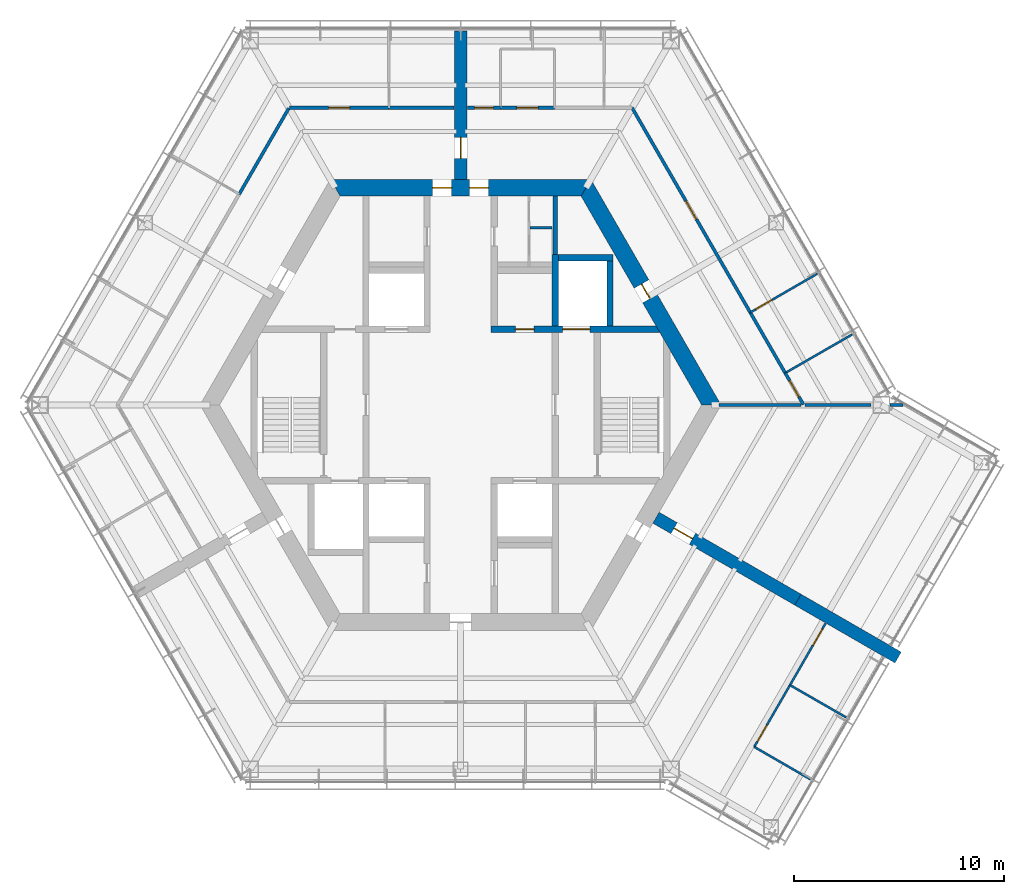
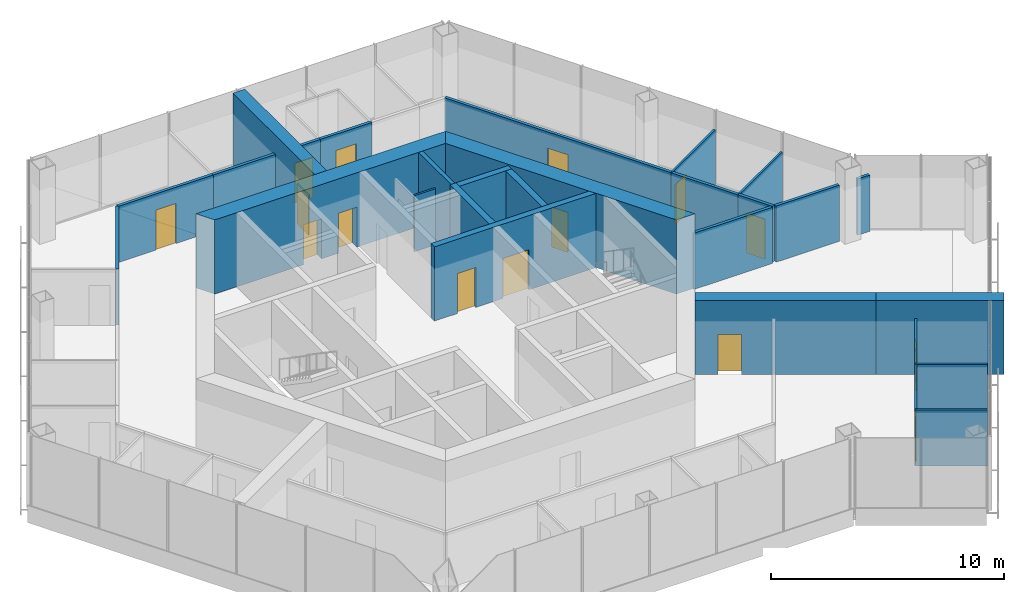
# One storey, part 9 of 13: 28 walls, 15 doors, 15 openings.
"""IFC4 building model written with IfcOpenShell, lengths in metres."""

from ifc_helpers import new_model, si_unit, direction, frame, frame_2d, origin, place, context, subcontext, project, spatial, polyline, rectangle, outline, extrude, material, layer, layer_set, type_object, element, fill, save


model = new_model("IFC4")

# Units and contexts
model_context = context("Model", 3, precision=1e-05, world=origin(), true_north=direction((0.0, 1.0)))
body_context = subcontext(model_context, "Body", "Model", "MODEL_VIEW")
ifc_project = project(units=[si_unit("LENGTHUNIT", "METRE"), si_unit("AREAUNIT", "SQUARE_METRE"), si_unit("VOLUMEUNIT", "CUBIC_METRE"), si_unit("PLANEANGLEUNIT", "RADIAN"), si_unit("MASSUNIT", "GRAM", prefix="KILO")], contexts=[model_context])

# Site, building, storey
site_placement = place(None, origin())
site = spatial("IfcSite", under=ifc_project, at=site_placement, CompositionType="ELEMENT")
building_placement = place(site_placement, origin())
building = spatial("IfcBuilding", under=site, at=building_placement, Name="Kasaneha Research Tower", CompositionType="ELEMENT")
storey_placement = place(building_placement, frame((0.0, 0.0, 286.89990234375)))
storey = spatial("IfcBuildingStorey", under=building, at=storey_placement, Name="L72", CompositionType="ELEMENT", Elevation=286.89990234375)

# Wall, openings, doors
ifc_material_1 = material(Name="Concrete Fc60", Category="concrete")
ifc_layer_1 = layer(ifc_material_1, 0.300048828125)
ifc_layer_set_1 = layer_set([ifc_layer_1], Name="Core internal wall 300 Fc60")
wall_type_1 = type_object("IfcWallType", Name="Core internal wall 300 Fc60", PredefinedType="SHEAR", material=ifc_layer_set_1)
wall_1_placement = place(storey_placement, frame((1.449951171875, 3.60009765625, 0.0), z_axis=(0.0, 0.0, 1.0), x_axis=(1.0, 0.0, 0.0)))
wall_1 = element("IfcWall", 1, at=wall_1_placement, inside=storey, type_object=wall_type_1, Name="Core wall W1E L72", PredefinedType="SHEAR", context=body_context, shape_type="SweptSolid", body=[
    extrude(outline(polyline([(0.0, -0.14990234375), (1.14990234375, -0.14990234375), (2.0498046875, -0.14990234375), (3.39990234375, -0.14990234375), (4.699951171875, -0.14990234375), (8.0185546875, -0.14990234375), (7.84521484375, 0.14990234375), (4.699951171875, 0.14990234375), (3.39990234375, 0.14990234375), (2.0498046875, 0.14990234375), (1.14990234375, 0.14990234375), (0.0, 0.14990234375), (0.0, -0.14990234375)])), origin(), (0.0, 0.0, 1.0), 3.900146484375),
])
opening_1_placement = place(wall_1_placement, frame((1.14990234375, 0.0, 0.0)))
opening_1 = element("IfcOpeningElement", 2, at=opening_1_placement, cuts=wall_1, Name="Opening L72-D17", PredefinedType="OPENING", context=body_context, shape_type="SweptSolid", body=[
    extrude(rectangle(XDim=0.89990234375, YDim=2.10009765625, at=frame_2d((0.449951171875, 1.050048828125))), frame((0.0, 0.16015625, 0.0), z_axis=(0.0, -1.0, 0.0), x_axis=(1.0, 0.0, 0.0)), (0.0, 0.0, 1.0), 0.320068359375),
])
opening_2_placement = place(wall_1_placement, frame((3.39990234375, 0.0, 0.0)))
opening_2 = element("IfcOpeningElement", 3, at=opening_2_placement, cuts=wall_1, Name="Opening LD-FL1-L72", PredefinedType="OPENING", context=body_context, shape_type="SweptSolid", body=[
    extrude(rectangle(XDim=1.300048828125, YDim=2.10009765625, at=frame_2d((0.64990234375, 1.050048828125))), frame((0.0, 0.16015625, 0.0), z_axis=(0.0, -1.0, 0.0), x_axis=(1.0, 0.0, 0.0)), (0.0, 0.0, 1.0), 0.320068359375),
])
ifc_material_2 = material(Name="Steel", Category="steel")
door_type_1 = type_object("IfcDoorType", Name="Lift landing door 1300x2100", OperationType="DOUBLE_DOOR_SLIDING", PredefinedType="DOOR", material=ifc_material_2)
door_1_placement = place(opening_2_placement, origin())
door_1 = element("IfcDoor", 4, at=door_1_placement, inside=storey, type_object=door_type_1, Name="Landing door FL1 LD-FL1-L72", OperationType="DOUBLE_DOOR_SLIDING", OverallHeight=2.10009765625, OverallWidth=1.300048828125, PredefinedType="DOOR", context=body_context, shape_type="SweptSolid", body=[
    extrude(rectangle(XDim=1.300048828125, YDim=2.10009765625, at=frame_2d((0.64990234375, 1.050048828125))), frame((0.0, 0.02490234375, 0.0), z_axis=(0.0, -1.0, 0.0), x_axis=(1.0, 0.0, 0.0)), (0.0, 0.0, 1.0), 0.050048828125),
])
fill(opening_2, door_1)
ifc_material_3 = material(Name="Steel", Category="steel")
door_type_2 = type_object("IfcDoorType", Name="Shaft room door FD60 900x2100", OperationType="NOTDEFINED", PredefinedType="DOOR", material=ifc_material_3)
door_2_placement = place(opening_1_placement, origin())
door_2 = element("IfcDoor", 5, at=door_2_placement, inside=storey, type_object=door_type_2, Name="Mail room door L72-D17", OperationType="SINGLE_SWING_LEFT", OverallHeight=2.10009765625, OverallWidth=0.89990234375, PredefinedType="DOOR", context=body_context, shape_type="SweptSolid", body=[
    extrude(rectangle(XDim=0.89990234375, YDim=2.10009765625, at=frame_2d((0.449951171875, 1.050048828125))), frame((0.0, 0.02490234375, 0.0), z_axis=(0.0, -1.0, 0.0), x_axis=(1.0, 0.0, 0.0)), (0.0, 0.0, 1.0), 0.050048828125),
])
fill(opening_1, door_2)

# Walls
wall_2_placement = place(storey_placement, frame((4.5, 3.75, 0.0), z_axis=(0.0, 0.0, 1.0), x_axis=(0.0, 1.0, 0.0)))
element("IfcWall", 6, at=wall_2_placement, inside=storey, type_object=wall_type_1, Name="Core wall FNE L72", PredefinedType="SHEAR", context=body_context, shape_type="SweptSolid", body=[
    extrude(rectangle(XDim=3.39990234375, YDim=0.300048828125, at=frame_2d((1.699951171875, 0.0))), origin(), (0.0, 0.0, 1.0), 3.900146484375),
])
wall_3_placement = place(storey_placement, frame((4.64990234375, 7.0, 0.0), z_axis=(0.0, 0.0, 1.0), x_axis=(1.0, 0.0, 0.0)))
element("IfcWall", 7, at=wall_3_placement, inside=storey, type_object=wall_type_1, Name="Core wall F1N L72", PredefinedType="SHEAR", context=body_context, shape_type="SweptSolid", body=[
    extrude(rectangle(XDim=2.60009765625, YDim=0.300048828125, at=frame_2d((1.300048828125, 0.0))), origin(), (0.0, 0.0, 1.0), 3.900146484375),
])
wall_4_placement = place(storey_placement, frame((7.10009765625, 3.75, 0.0), z_axis=(0.0, 0.0, 1.0), x_axis=(0.0, 1.0, 0.0)))
element("IfcWall", 8, at=wall_4_placement, inside=storey, type_object=wall_type_1, Name="Core wall F1E L72", PredefinedType="SHEAR", context=body_context, shape_type="SweptSolid", body=[
    extrude(rectangle(XDim=3.10009765625, YDim=0.300048828125, at=frame_2d((1.550048828125, 0.0))), origin(), (0.0, 0.0, 1.0), 3.900146484375),
])

# Wall, opening, door
ifc_material_4 = material(Name="Concrete Fc60", Category="concrete")
ifc_layer_2 = layer(ifc_material_4, 0.800048828125)
ifc_layer_set_2 = layer_set([ifc_layer_2], Name="Core wall 800 Fc60")
wall_type_2 = type_object("IfcWallType", Name="Core wall 800 Fc60", PredefinedType="SHEAR", material=ifc_layer_set_2)
wall_5_placement = place(storey_placement, frame((11.92236328125, 0.0, 0.0), z_axis=(0.0, 0.0, 1.0), x_axis=(-0.500004296715, 0.866022923061, 0.0)))
wall_5 = element("IfcWall", 9, at=wall_5_placement, inside=storey, type_object=wall_type_2, Name="Core wall 030 L72", PredefinedType="SHEAR", context=body_context, shape_type="SweptSolid", body=[
    extrude(outline(polyline([(-0.23095703125, -0.39990234375), (5.83544921875, -0.39990234375), (6.635498046875, -0.39990234375), (12.1533203125, -0.39990234375), (11.69140625, 0.39990234375), (6.635498046875, 0.39990234375), (5.83544921875, 0.39990234375), (0.23095703125, 0.39990234375), (-0.23095703125, -0.39990234375)])), origin(), (0.0, 0.0, 1.0), 3.900146484375),
])
opening_3_placement = place(wall_5_placement, frame((5.83544921875, 0.0, 0.0)))
opening_3 = element("IfcOpeningElement", 10, at=opening_3_placement, cuts=wall_5, Name="Opening L72-D04", PredefinedType="OPENING", context=body_context, shape_type="SweptSolid", body=[
    extrude(rectangle(XDim=0.800048828125, YDim=2.10009765625, at=frame_2d((0.39990234375, 1.050048828125))), frame((0.0, 0.41015625, 0.0), z_axis=(0.0, -1.0, 0.0), x_axis=(1.0, 0.0, 0.0)), (0.0, 0.0, 1.0), 0.820068359375),
])
ifc_material_5 = material(Name="Steel", Category="steel")
door_type_3 = type_object("IfcDoorType", Name="Riser access door FD60 800x2100", OperationType="NOTDEFINED", PredefinedType="DOOR", material=ifc_material_5)
door_3_placement = place(opening_3_placement, origin())
door_3 = element("IfcDoor", 11, at=door_3_placement, inside=storey, type_object=door_type_3, Name="Pipe riser door L72-D04", OperationType="SINGLE_SWING_RIGHT", OverallHeight=2.10009765625, OverallWidth=0.800048828125, PredefinedType="DOOR", context=body_context, shape_type="SweptSolid", body=[
    extrude(rectangle(XDim=0.800048828125, YDim=2.10009765625, at=frame_2d((0.39990234375, 1.050048828125))), frame((0.0, 0.02490234375, 0.0), z_axis=(0.0, -1.0, 0.0), x_axis=(1.0, 0.0, 0.0)), (0.0, 0.0, 1.0), 0.050048828125),
])
fill(opening_3, door_3)

# Wall, openings, doors
wall_6_placement = place(storey_placement, frame((5.961181640625, 10.324951171875, 0.0), z_axis=(0.0, 0.0, 1.0), x_axis=(-1.0, 0.0, 0.0)))
wall_6 = element("IfcWall", 12, at=wall_6_placement, inside=storey, type_object=wall_type_2, Name="Core wall 090 L72", PredefinedType="SHEAR", context=body_context, shape_type="SweptSolid", body=[
    extrude(outline(polyline([(-0.23095703125, -0.39990234375), (4.63623046875, -0.39990234375), (5.5361328125, -0.39990234375), (6.38623046875, -0.39990234375), (7.2861328125, -0.39990234375), (12.1533203125, -0.39990234375), (11.69140625, 0.39990234375), (7.2861328125, 0.39990234375), (6.38623046875, 0.39990234375), (5.5361328125, 0.39990234375), (4.63623046875, 0.39990234375), (0.23095703125, 0.39990234375), (-0.23095703125, -0.39990234375)])), origin(), (0.0, 0.0, 1.0), 3.900146484375),
])
opening_4_placement = place(wall_6_placement, frame((6.38623046875, 0.0, 0.0)))
opening_4 = element("IfcOpeningElement", 13, at=opening_4_placement, cuts=wall_6, Name="Opening L72-D01", PredefinedType="OPENING", context=body_context, shape_type="SweptSolid", body=[
    extrude(rectangle(XDim=0.89990234375, YDim=2.10009765625, at=frame_2d((0.449951171875, 1.050048828125))), frame((0.0, 0.41015625, 0.0), z_axis=(0.0, -1.0, 0.0), x_axis=(1.0, 0.0, 0.0)), (0.0, 0.0, 1.0), 0.820068359375),
])
opening_5_placement = place(wall_6_placement, frame((4.63623046875, 0.0, 0.0)))
opening_5 = element("IfcOpeningElement", 14, at=opening_5_placement, cuts=wall_6, Name="Opening L72-D02", PredefinedType="OPENING", context=body_context, shape_type="SweptSolid", body=[
    extrude(rectangle(XDim=0.89990234375, YDim=2.10009765625, at=frame_2d((0.449951171875, 1.050048828125))), frame((0.0, 0.41015625, 0.0), z_axis=(0.0, -1.0, 0.0), x_axis=(1.0, 0.0, 0.0)), (0.0, 0.0, 1.0), 0.820068359375),
])
ifc_material_6 = material(Name="Steel", Category="steel")
door_type_4 = type_object("IfcDoorType", Name="Toilet door FD20 900x2100", OperationType="NOTDEFINED", PredefinedType="DOOR", material=ifc_material_6)
door_4_placement = place(opening_4_placement, origin())
door_4 = element("IfcDoor", 15, at=door_4_placement, inside=storey, type_object=door_type_4, Name="Core door north 1 L72-D01", OperationType="SINGLE_SWING_RIGHT", OverallHeight=2.10009765625, OverallWidth=0.89990234375, PredefinedType="DOOR", context=body_context, shape_type="SweptSolid", body=[
    extrude(rectangle(XDim=0.89990234375, YDim=2.10009765625, at=frame_2d((0.449951171875, 1.050048828125))), frame((0.0, 0.02490234375, 0.0), z_axis=(0.0, -1.0, 0.0), x_axis=(1.0, 0.0, 0.0)), (0.0, 0.0, 1.0), 0.050048828125),
])
fill(opening_4, door_4)
door_5_placement = place(opening_5_placement, origin())
door_5 = element("IfcDoor", 16, at=door_5_placement, inside=storey, type_object=door_type_4, Name="Core door north 2 L72-D02", OperationType="SINGLE_SWING_LEFT", OverallHeight=2.10009765625, OverallWidth=0.89990234375, PredefinedType="DOOR", context=body_context, shape_type="SweptSolid", body=[
    extrude(rectangle(XDim=0.89990234375, YDim=2.10009765625, at=frame_2d((0.449951171875, 1.050048828125))), frame((0.0, 0.02490234375, 0.0), z_axis=(0.0, -1.0, 0.0), x_axis=(1.0, 0.0, 0.0)), (0.0, 0.0, 1.0), 0.050048828125),
])
fill(opening_5, door_5)

# Walls
ifc_material_7 = material(Name="Gypsum board on steel studs, one layer each side", Category="steel")
ifc_layer_3 = layer(ifc_material_7, 0.10009765625)
ifc_layer_set_3 = layer_set([ifc_layer_3], Name="Office partition 100")
wall_type_3 = type_object("IfcWallType", Name="Office partition 100", PredefinedType="PARTITIONING", material=ifc_layer_set_3)
wall_7_placement = place(storey_placement, frame((3.300048828125, 8.425048828125, 0.0), z_axis=(0.0, 0.0, 1.0), x_axis=(1.0, 0.0, 0.0)))
element("IfcWall", 17, at=wall_7_placement, inside=storey, type_object=wall_type_3, Name="Office partition TBF2 L72", PredefinedType="PARTITIONING", context=body_context, shape_type="SweptSolid", body=[
    extrude(rectangle(XDim=1.050048828125, YDim=0.10009765625, at=frame_2d((0.52490234375, 0.0))), origin(), (0.0, 0.0, 1.0), 2.9501953125),
])
wall_8_placement = place(storey_placement, frame((18.619873046875, 3.3505859375, 0.0), z_axis=(0.0, 0.0, 1.0), x_axis=(-0.866693818913, -0.49884047977, 0.0)))
element("IfcWall", 18, at=wall_8_placement, inside=storey, type_object=wall_type_3, Name="Office partition FAE12 L72", PredefinedType="PARTITIONING", context=body_context, shape_type="SweptSolid", body=[
    extrude(rectangle(XDim=3.675537109375, YDim=0.10009765625, at=frame_2d((1.837890625, 0.0))), origin(), (0.0, 0.0, 1.0), 2.9501953125),
])

# Wall, opening, door
wall_9_placement = place(storey_placement, frame((13.7734375, 4.3935546875, 0.0), z_axis=(0.0, 0.0, 1.0), x_axis=(0.865424773777, 0.501038881657, 0.0)))
wall_9 = element("IfcWall", 19, at=wall_9_placement, inside=storey, type_object=wall_type_3, Name="Office partition FAE13 L72", PredefinedType="PARTITIONING", context=body_context, shape_type="SweptSolid", body=[
    extrude(rectangle(XDim=3.685791015625, YDim=0.10009765625, at=frame_2d((1.8427734375, 0.0))), origin(), (0.0, 0.0, 1.0), 2.9501953125),
])
opening_6_placement = place(wall_9_placement, frame((0.300048828125, 0.0, 0.0)))
opening_6 = element("IfcOpeningElement", 20, at=opening_6_placement, cuts=wall_9, Name="Opening L72-D27", PredefinedType="OPENING", context=body_context, shape_type="SweptSolid", body=[
    extrude(rectangle(XDim=0.89990234375, YDim=2.10009765625, at=frame_2d((0.449951171875, 1.050048828125))), frame((0.0, 0.06005859375, 0.0), z_axis=(0.0, -1.0, 0.0), x_axis=(1.0, 0.0, 0.0)), (0.0, 0.0, 1.0), 0.1201171875),
])
ifc_material_8 = material(Name="Timber veneer", Category="wood")
door_type_5 = type_object("IfcDoorType", Name="Office door 900x2100", OperationType="SINGLE_SWING_LEFT", PredefinedType="DOOR", material=ifc_material_8)
door_6_placement = place(opening_6_placement, origin())
door_6 = element("IfcDoor", 21, at=door_6_placement, inside=storey, type_object=door_type_5, Name="Board meeting room door L72-D27", OperationType="SINGLE_SWING_LEFT", OverallHeight=2.10009765625, OverallWidth=0.89990234375, PredefinedType="DOOR", context=body_context, shape_type="SweptSolid", body=[
    extrude(rectangle(XDim=0.89990234375, YDim=2.10009765625, at=frame_2d((0.449951171875, 1.050048828125))), frame((0.0, 0.02490234375, 0.0), z_axis=(0.0, -1.0, 0.0), x_axis=(1.0, 0.0, 0.0)), (0.0, 0.0, 1.0), 0.050048828125),
])
fill(opening_6, door_6)

# Wall
wall_10_placement = place(storey_placement, frame((15.658935546875, -13.31884765625, 0.0), z_axis=(0.0, 0.0, 1.0), x_axis=(0.866844641549, -0.498578346319, 0.0)))
element("IfcWall", 22, at=wall_10_placement, inside=storey, type_object=wall_type_3, Name="Office partition FCS09 L72", PredefinedType="PARTITIONING", context=body_context, shape_type="SweptSolid", body=[
    extrude(rectangle(XDim=3.080078125, YDim=0.10009765625, at=frame_2d((1.5400390625, 0.0))), origin(), (0.0, 0.0, 1.0), 2.9501953125),
])

# Wall, opening, door
wall_11_placement = place(storey_placement, frame((13.96142578125, -16.259033203125, 0.0), z_axis=(0.0, 0.0, 1.0), x_axis=(0.501149490816, 0.865360727012, 0.0)))
wall_11 = element("IfcWall", 23, at=wall_11_placement, inside=storey, type_object=wall_type_3, Name="Office partition FCS10 L72", PredefinedType="PARTITIONING", context=body_context, shape_type="SweptSolid", body=[
    extrude(rectangle(XDim=3.39990234375, YDim=0.10009765625, at=frame_2d((1.699951171875, 0.0))), origin(), (0.0, 0.0, 1.0), 2.9501953125),
])
opening_7_placement = place(wall_11_placement, frame((0.300048828125, 0.0, 0.0)))
opening_7 = element("IfcOpeningElement", 24, at=opening_7_placement, cuts=wall_11, Name="Opening L72-D42", PredefinedType="OPENING", context=body_context, shape_type="SweptSolid", body=[
    extrude(rectangle(XDim=0.89990234375, YDim=2.10009765625, at=frame_2d((0.449951171875, 1.050048828125))), frame((0.0, 0.06005859375, 0.0), z_axis=(0.0, -1.0, 0.0), x_axis=(1.0, 0.0, 0.0)), (0.0, 0.0, 1.0), 0.1201171875),
])
door_7_placement = place(opening_7_placement, origin())
door_7 = element("IfcDoor", 25, at=door_7_placement, inside=storey, type_object=door_type_5, Name="Workroom door L72-D42", OperationType="SINGLE_SWING_LEFT", OverallHeight=2.10009765625, OverallWidth=0.89990234375, PredefinedType="DOOR", context=body_context, shape_type="SweptSolid", body=[
    extrude(rectangle(XDim=0.89990234375, YDim=2.10009765625, at=frame_2d((0.449951171875, 1.050048828125))), frame((0.0, 0.02490234375, 0.0), z_axis=(0.0, -1.0, 0.0), x_axis=(1.0, 0.0, 0.0)), (0.0, 0.0, 1.0), 0.050048828125),
])
fill(opening_7, door_7)

# Wall
wall_12_placement = place(storey_placement, frame((16.62890625, -17.799072265625, 0.0), z_axis=(0.0, 0.0, 1.0), x_axis=(-0.866029832698, 0.499992328818, 0.0)))
element("IfcWall", 26, at=wall_12_placement, inside=storey, type_object=wall_type_3, Name="Office partition FCS11 L72", PredefinedType="PARTITIONING", context=body_context, shape_type="SweptSolid", body=[
    extrude(rectangle(XDim=3.080078125, YDim=0.10009765625, at=frame_2d((1.5400390625, 0.0))), origin(), (0.0, 0.0, 1.0), 2.9501953125),
])

# Wall, opening, door
wall_13_placement = place(storey_placement, frame((15.665283203125, -13.31689453125, 0.0), z_axis=(0.0, 0.0, 1.0), x_axis=(0.498882251571, 0.866669775098, 0.0)))
wall_13 = element("IfcWall", 27, at=wall_13_placement, inside=storey, type_object=wall_type_3, Name="Office partition FCS12 L72", PredefinedType="PARTITIONING", context=body_context, shape_type="SweptSolid", body=[
    extrude(rectangle(XDim=3.380126953125, YDim=0.10009765625, at=frame_2d((1.68994140625, 0.0))), origin(), (0.0, 0.0, 1.0), 2.9501953125),
])
opening_8_placement = place(wall_13_placement, frame((2.179931640625, 0.0, 0.0)))
opening_8 = element("IfcOpeningElement", 28, at=opening_8_placement, cuts=wall_13, Name="Opening L72-D43", PredefinedType="OPENING", context=body_context, shape_type="SweptSolid", body=[
    extrude(rectangle(XDim=0.89990234375, YDim=2.10009765625, at=frame_2d((0.449951171875, 1.050048828125))), frame((0.0, 0.06005859375, 0.0), z_axis=(0.0, -1.0, 0.0), x_axis=(1.0, 0.0, 0.0)), (0.0, 0.0, 1.0), 0.1201171875),
])
door_8_placement = place(opening_8_placement, origin())
door_8 = element("IfcDoor", 29, at=door_8_placement, inside=storey, type_object=door_type_5, Name="Phone room door L72-D43", OperationType="SINGLE_SWING_RIGHT", OverallHeight=2.10009765625, OverallWidth=0.89990234375, PredefinedType="DOOR", context=body_context, shape_type="SweptSolid", body=[
    extrude(rectangle(XDim=0.89990234375, YDim=2.10009765625, at=frame_2d((0.449951171875, 1.050048828125))), frame((0.0, 0.02490234375, 0.0), z_axis=(0.0, -1.0, 0.0), x_axis=(1.0, 0.0, 0.0)), (0.0, 0.0, 1.0), 0.050048828125),
])
fill(opening_8, door_8)

# Wall
ifc_material_9 = material(Name="Concrete block", Category="concrete")
ifc_layer_4 = layer(ifc_material_9, 0.199951171875)
ifc_layer_set_4 = layer_set([ifc_layer_4], Name="Riser enclosure wall 200")
wall_type_4 = type_object("IfcWallType", Name="Riser enclosure wall 200", PredefinedType="STANDARD", material=ifc_layer_set_4)
wall_14_placement = place(storey_placement, frame((4.5, 7.14990234375, 0.0), z_axis=(0.0, 0.0, 1.0), x_axis=(0.0, 1.0, 0.0)))
element("IfcWall", 30, at=wall_14_placement, inside=storey, type_object=wall_type_4, Name="Riser enclosure wall L72", PredefinedType="STANDARD", context=body_context, shape_type="SweptSolid", body=[
    extrude(rectangle(XDim=2.775146484375, YDim=0.199951171875, at=frame_2d((1.3876953125, 0.0))), origin(), (0.0, 0.0, 1.0), 3.900146484375),
])

# Wall, opening, door
ifc_material_10 = material(Name="Concrete Fc60", Category="concrete")
ifc_layer_5 = layer(ifc_material_10, 0.60009765625)
ifc_layer_set_5 = layer_set([ifc_layer_5], Name="Spine wall 600 Fc60")
wall_type_5 = type_object("IfcWallType", Name="Spine wall 600 Fc60", PredefinedType="SHEAR", material=ifc_layer_set_5)
wall_15_placement = place(storey_placement, frame((0.0, 10.72509765625, 0.0), z_axis=(0.0, 0.0, 1.0), x_axis=(0.0, 1.0, 0.0)))
wall_15 = element("IfcWall", 31, at=wall_15_placement, inside=storey, type_object=wall_type_5, Name="Spine wall A L72", PredefinedType="SHEAR", context=body_context, shape_type="SweptSolid", body=[
    extrude(rectangle(XDim=7.04541015625, YDim=0.60009765625, at=frame_2d((3.522705078125, 0.0))), origin(), (0.0, 0.0, 1.0), 3.900146484375),
])
opening_9_placement = place(wall_15_placement, frame((1.0, 0.0, 0.0)))
opening_9 = element("IfcOpeningElement", 32, at=opening_9_placement, cuts=wall_15, Name="Opening L72-D18", PredefinedType="OPENING", context=body_context, shape_type="SweptSolid", body=[
    extrude(rectangle(XDim=1.0, YDim=2.10009765625, at=frame_2d((0.5, 1.050048828125))), frame((0.0, 0.31005859375, 0.0), z_axis=(0.0, -1.0, 0.0), x_axis=(1.0, 0.0, 0.0)), (0.0, 0.0, 1.0), 0.6201171875),
])
ifc_material_11 = material(Name="Steel", Category="steel")
door_type_6 = type_object("IfcDoorType", Name="Specified fire door FD60 1000x2100", OperationType="NOTDEFINED", PredefinedType="DOOR", material=ifc_material_11)
door_9_placement = place(opening_9_placement, origin())
door_9 = element("IfcDoor", 33, at=door_9_placement, inside=storey, type_object=door_type_6, Name="Spine doorway A L72-D18", OperationType="SINGLE_SWING_LEFT", OverallHeight=2.10009765625, OverallWidth=1.0, PredefinedType="DOOR", context=body_context, shape_type="SweptSolid", body=[
    extrude(rectangle(XDim=1.0, YDim=2.10009765625, at=frame_2d((0.5, 1.050048828125))), frame((0.0, 0.02490234375, 0.0), z_axis=(0.0, -1.0, 0.0), x_axis=(1.0, 0.0, 0.0)), (0.0, 0.0, 1.0), 0.050048828125),
])
fill(opening_9, door_9)

wall_16_placement = place(storey_placement, frame((9.2880859375, -5.362548828125, 0.0), z_axis=(0.0, 0.0, 1.0), x_axis=(0.866031736626, -0.499989031036, 0.0)))
wall_16 = element("IfcWall", 34, at=wall_16_placement, inside=storey, type_object=wall_type_5, Name="Spine wall C L72", PredefinedType="SHEAR", context=body_context, shape_type="SweptSolid", body=[
    extrude(rectangle(XDim=7.795654296875, YDim=0.60009765625, at=frame_2d((3.89794921875, 0.0))), origin(), (0.0, 0.0, 1.0), 3.900146484375),
])
opening_10_placement = place(wall_16_placement, frame((1.0, 0.0, 0.0)))
opening_10 = element("IfcOpeningElement", 35, at=opening_10_placement, cuts=wall_16, Name="Opening L72-D20", PredefinedType="OPENING", context=body_context, shape_type="SweptSolid", body=[
    extrude(rectangle(XDim=1.0, YDim=2.10009765625, at=frame_2d((0.5, 1.050048828125))), frame((0.0, 0.31005859375, 0.0), z_axis=(0.0, -1.0, 0.0), x_axis=(1.0, 0.0, 0.0)), (0.0, 0.0, 1.0), 0.6201171875),
])
door_10_placement = place(opening_10_placement, origin())
door_10 = element("IfcDoor", 36, at=door_10_placement, inside=storey, type_object=door_type_6, Name="Spine doorway C L72-D20", OperationType="SINGLE_SWING_LEFT", OverallHeight=2.10009765625, OverallWidth=1.0, PredefinedType="DOOR", context=body_context, shape_type="SweptSolid", body=[
    extrude(rectangle(XDim=1.0, YDim=2.10009765625, at=frame_2d((0.5, 1.050048828125))), frame((0.0, 0.02490234375, 0.0), z_axis=(0.0, -1.0, 0.0), x_axis=(1.0, 0.0, 0.0)), (0.0, 0.0, 1.0), 0.050048828125),
])
fill(opening_10, door_10)

# Wall
wall_17_placement = place(storey_placement, frame((16.039306640625, -9.26025390625, 0.0), z_axis=(0.0, 0.0, 1.0), x_axis=(0.866027397988, -0.499996545922, 0.0)))
element("IfcWall", 37, at=wall_17_placement, inside=storey, type_object=wall_type_5, Name="Spine wall C wing L72", PredefinedType="SHEAR", context=body_context, shape_type="SweptSolid", body=[
    extrude(rectangle(XDim=5.5, YDim=0.60009765625, at=frame_2d((2.75, 0.0))), origin(), (0.0, 0.0, 1.0), 3.900146484375),
])

# Wall, opening, door
ifc_material_12 = material(Name="Gypsum board on steel studs, two layers each side", Category="steel")
ifc_layer_6 = layer(ifc_material_12, 0.14990234375)
ifc_layer_set_6 = layer_set([ifc_layer_6], Name="Suite partition 150")
wall_type_6 = type_object("IfcWallType", Name="Suite partition 150", PredefinedType="PARTITIONING", material=ifc_layer_set_6)
wall_18_placement = place(storey_placement, frame((1.89501953125, 14.125, 0.0), z_axis=(0.0, 0.0, 1.0), x_axis=(1.0, 0.0, 0.0)))
wall_18 = element("IfcWall", 38, at=wall_18_placement, inside=storey, type_object=wall_type_6, Name="Suite partition FAE01 L72", PredefinedType="PARTITIONING", context=body_context, shape_type="SweptSolid", body=[
    extrude(rectangle(XDim=2.574951171875, YDim=0.14990234375, at=frame_2d((1.28759765625, 0.0))), origin(), (0.0, 0.0, 1.0), 2.9501953125),
])
opening_11_placement = place(wall_18_placement, frame((0.78759765625, 0.0, 0.0)))
opening_11 = element("IfcOpeningElement", 39, at=opening_11_placement, cuts=wall_18, Name="Opening L72-D23", PredefinedType="OPENING", context=body_context, shape_type="SweptSolid", body=[
    extrude(rectangle(XDim=1.0, YDim=2.10009765625, at=frame_2d((0.5, 1.050048828125))), frame((0.0, 0.0849609375, 0.0), z_axis=(0.0, -1.0, 0.0), x_axis=(1.0, 0.0, 0.0)), (0.0, 0.0, 1.0), 0.169921875),
])
ifc_material_13 = material(Name="Steel", Category="steel")
door_type_7 = type_object("IfcDoorType", Name="Suite entrance door FD60 1000x2100", OperationType="NOTDEFINED", PredefinedType="DOOR", material=ifc_material_13)
door_11_placement = place(opening_11_placement, origin())
door_11 = element("IfcDoor", 40, at=door_11_placement, inside=storey, type_object=door_type_7, Name="Suite entrance door L72-D23", OperationType="SINGLE_SWING_RIGHT", OverallHeight=2.10009765625, OverallWidth=1.0, PredefinedType="DOOR", context=body_context, shape_type="SweptSolid", body=[
    extrude(rectangle(XDim=1.0, YDim=2.10009765625, at=frame_2d((0.5, 1.050048828125))), frame((0.0, 0.02490234375, 0.0), z_axis=(0.0, -1.0, 0.0), x_axis=(1.0, 0.0, 0.0)), (0.0, 0.0, 1.0), 0.050048828125),
])
fill(opening_11, door_11)

# Wall
wall_19_placement = place(storey_placement, frame((13.768798828125, 4.40185546875, 0.0), z_axis=(0.0, 0.0, 1.0), x_axis=(0.499958601013, -0.866049304181, 0.0)))
element("IfcWall", 41, at=wall_19_placement, inside=storey, type_object=wall_type_6, Name="Suite partition FAE02 L72", PredefinedType="PARTITIONING", context=body_context, shape_type="SweptSolid", body=[
    extrude(rectangle(XDim=3.341064453125, YDim=0.14990234375, at=frame_2d((1.67041015625, 0.0))), origin(), (0.0, 0.0, 1.0), 2.9501953125),
])

# Wall, opening, door
wall_20_placement = place(storey_placement, frame((0.320068359375, 14.125, 0.0), z_axis=(0.0, 0.0, 1.0), x_axis=(1.0, 0.0, 0.0)))
wall_20 = element("IfcWall", 42, at=wall_20_placement, inside=storey, type_object=wall_type_6, Name="Suite partition FAE04 L72", PredefinedType="PARTITIONING", context=body_context, shape_type="SweptSolid", body=[
    extrude(rectangle(XDim=1.5849609375, YDim=0.14990234375, at=frame_2d((0.79248046875, 0.0))), origin(), (0.0, 0.0, 1.0), 2.9501953125),
])
opening_12_placement = place(wall_20_placement, frame((0.342529296875, 0.0, 0.0)))
opening_12 = element("IfcOpeningElement", 43, at=opening_12_placement, cuts=wall_20, Name="Opening L72-D24", PredefinedType="OPENING", context=body_context, shape_type="SweptSolid", body=[
    extrude(rectangle(XDim=0.89990234375, YDim=2.10009765625, at=frame_2d((0.449951171875, 1.050048828125))), frame((0.0, 0.0849609375, 0.0), z_axis=(0.0, -1.0, 0.0), x_axis=(1.0, 0.0, 0.0)), (0.0, 0.0, 1.0), 0.169921875),
])
door_12_placement = place(opening_12_placement, origin())
door_12 = element("IfcDoor", 44, at=door_12_placement, inside=storey, type_object=door_type_5, Name="Executive office door L72-D24", OperationType="SINGLE_SWING_RIGHT", OverallHeight=2.10009765625, OverallWidth=0.89990234375, PredefinedType="DOOR", context=body_context, shape_type="SweptSolid", body=[
    extrude(rectangle(XDim=0.89990234375, YDim=2.10009765625, at=frame_2d((0.449951171875, 1.050048828125))), frame((0.0, 0.02490234375, 0.0), z_axis=(0.0, -1.0, 0.0), x_axis=(1.0, 0.0, 0.0)), (0.0, 0.0, 1.0), 0.050048828125),
])
fill(opening_12, door_12)

wall_21_placement = place(storey_placement, frame((15.434326171875, 1.51708984375, 0.0), z_axis=(0.0, 0.0, 1.0), x_axis=(0.49996696679, -0.866044474677, 0.0)))
wall_21 = element("IfcWall", 45, at=wall_21_placement, inside=storey, type_object=wall_type_6, Name="Suite partition FAE05 L72", PredefinedType="PARTITIONING", context=body_context, shape_type="SweptSolid", body=[
    extrude(rectangle(XDim=1.728515625, YDim=0.14990234375, at=frame_2d((0.8642578125, 0.0))), origin(), (0.0, 0.0, 1.0), 2.9501953125),
])
opening_13_placement = place(wall_21_placement, frame((0.414306640625, 0.0, 0.0)))
opening_13 = element("IfcOpeningElement", 46, at=opening_13_placement, cuts=wall_21, Name="Opening L72-D25", PredefinedType="OPENING", context=body_context, shape_type="SweptSolid", body=[
    extrude(rectangle(XDim=0.89990234375, YDim=2.10009765625, at=frame_2d((0.449951171875, 1.050048828125))), frame((0.0, 0.0849609375, 0.0), z_axis=(0.0, -1.0, 0.0), x_axis=(1.0, 0.0, 0.0)), (0.0, 0.0, 1.0), 0.169921875),
])
door_13_placement = place(opening_13_placement, origin())
door_13 = element("IfcDoor", 47, at=door_13_placement, inside=storey, type_object=door_type_5, Name="Workroom door L72-D25", OperationType="SINGLE_SWING_RIGHT", OverallHeight=2.10009765625, OverallWidth=0.89990234375, PredefinedType="DOOR", context=body_context, shape_type="SweptSolid", body=[
    extrude(rectangle(XDim=0.89990234375, YDim=2.10009765625, at=frame_2d((0.449951171875, 1.050048828125))), frame((0.0, 0.02490234375, 0.0), z_axis=(0.0, -1.0, 0.0), x_axis=(1.0, 0.0, 0.0)), (0.0, 0.0, 1.0), 0.050048828125),
])
fill(opening_13, door_13)

wall_22_placement = place(storey_placement, frame((8.155029296875, 14.125, 0.0), z_axis=(0.0, 0.0, 1.0), x_axis=(0.499997038701, -0.866027113485, 0.0)))
wall_22 = element("IfcWall", 48, at=wall_22_placement, inside=storey, type_object=wall_type_6, Name="Suite partition FAE07 L72", PredefinedType="PARTITIONING", context=body_context, shape_type="SweptSolid", body=[
    extrude(rectangle(XDim=11.23681640625, YDim=0.14990234375, at=frame_2d((5.618408203125, 0.0))), origin(), (0.0, 0.0, 1.0), 2.9501953125),
])
opening_14_placement = place(wall_22_placement, frame((5.118408203125, 0.0, 0.0)))
opening_14 = element("IfcOpeningElement", 49, at=opening_14_placement, cuts=wall_22, Name="Opening L72-D26", PredefinedType="OPENING", context=body_context, shape_type="SweptSolid", body=[
    extrude(rectangle(XDim=1.0, YDim=2.10009765625, at=frame_2d((0.5, 1.050048828125))), frame((0.0, 0.0849609375, 0.0), z_axis=(0.0, -1.0, 0.0), x_axis=(1.0, 0.0, 0.0)), (0.0, 0.0, 1.0), 0.169921875),
])
door_14_placement = place(opening_14_placement, origin())
door_14 = element("IfcDoor", 50, at=door_14_placement, inside=storey, type_object=door_type_7, Name="Suite entrance door L72-D26", OperationType="SINGLE_SWING_RIGHT", OverallHeight=2.10009765625, OverallWidth=1.0, PredefinedType="DOOR", context=body_context, shape_type="SweptSolid", body=[
    extrude(rectangle(XDim=1.0, YDim=2.10009765625, at=frame_2d((0.5, 1.050048828125))), frame((0.0, 0.02490234375, 0.0), z_axis=(0.0, -1.0, 0.0), x_axis=(1.0, 0.0, 0.0)), (0.0, 0.0, 1.0), 0.050048828125),
])
fill(opening_14, door_14)

# Wall
wall_23_placement = place(storey_placement, frame((-3.42041015625, 14.125, 0.0), z_axis=(0.0, 0.0, 1.0), x_axis=(1.0, 0.0, 0.0)))
element("IfcWall", 51, at=wall_23_placement, inside=storey, type_object=wall_type_6, Name="Suite partition FAW01 L72", PredefinedType="PARTITIONING", context=body_context, shape_type="SweptSolid", body=[
    extrude(rectangle(XDim=3.100341796875, YDim=0.14990234375, at=frame_2d((1.55029296875, 0.0))), origin(), (0.0, 0.0, 1.0), 2.9501953125),
])

# Wall, opening, door
wall_24_placement = place(storey_placement, frame((-8.132080078125, 14.125, 0.0), z_axis=(0.0, 0.0, 1.0), x_axis=(1.0, 0.0, 0.0)))
wall_24 = element("IfcWall", 52, at=wall_24_placement, inside=storey, type_object=wall_type_6, Name="Suite partition FAW02 L72", PredefinedType="PARTITIONING", context=body_context, shape_type="SweptSolid", body=[
    extrude(rectangle(XDim=4.72119140625, YDim=0.14990234375, at=frame_2d((2.360595703125, 0.0))), origin(), (0.0, 0.0, 1.0), 2.9501953125),
])
opening_15_placement = place(wall_24_placement, frame((1.860595703125, 0.0, 0.0)))
opening_15 = element("IfcOpeningElement", 53, at=opening_15_placement, cuts=wall_24, Name="Opening L72-D29", PredefinedType="OPENING", context=body_context, shape_type="SweptSolid", body=[
    extrude(rectangle(XDim=1.0, YDim=2.10009765625, at=frame_2d((0.5, 1.050048828125))), frame((0.0, 0.0849609375, 0.0), z_axis=(0.0, -1.0, 0.0), x_axis=(1.0, 0.0, 0.0)), (0.0, 0.0, 1.0), 0.169921875),
])
door_15_placement = place(opening_15_placement, origin())
door_15 = element("IfcDoor", 54, at=door_15_placement, inside=storey, type_object=door_type_7, Name="Suite entrance door L72-D29", OperationType="SINGLE_SWING_LEFT", OverallHeight=2.10009765625, OverallWidth=1.0, PredefinedType="DOOR", context=body_context, shape_type="SweptSolid", body=[
    extrude(rectangle(XDim=1.0, YDim=2.10009765625, at=frame_2d((0.5, 1.050048828125))), frame((0.0, 0.02490234375, 0.0), z_axis=(0.0, -1.0, 0.0), x_axis=(1.0, 0.0, 0.0)), (0.0, 0.0, 1.0), 0.050048828125),
])
fill(opening_15, door_15)

# Walls
wall_25_placement = place(storey_placement, frame((-10.52734375, 10.01611328125, 0.0), z_axis=(0.0, 0.0, 1.0), x_axis=(0.500020852261, 0.866013364391, 0.0)))
element("IfcWall", 55, at=wall_25_placement, inside=storey, type_object=wall_type_6, Name="Suite partition FBN01 L72", PredefinedType="PARTITIONING", context=body_context, shape_type="SweptSolid", body=[
    extrude(rectangle(XDim=4.721435546875, YDim=0.14990234375, at=frame_2d((2.36083984375, 0.0))), origin(), (0.0, 0.0, 1.0), 2.9501953125),
])
wall_26_placement = place(storey_placement, frame((19.5185546875, 0.0, 0.0), z_axis=(0.0, 0.0, 1.0), x_axis=(-1.0, 0.0, 0.0)))
element("IfcWall", 56, at=wall_26_placement, inside=storey, type_object=wall_type_6, Name="Suite partition closer PT4 L72", PredefinedType="PARTITIONING", context=body_context, shape_type="SweptSolid", body=[
    extrude(rectangle(XDim=3.14990234375, YDim=0.14990234375, at=frame_2d((1.574951171875, 0.0))), origin(), (0.0, 0.0, 1.0), 2.9501953125),
])
wall_27_placement = place(storey_placement, frame((12.2841796875, 0.0, 0.0), z_axis=(0.0, 0.0, 1.0), x_axis=(1.0, 0.0, 0.0)))
element("IfcWall", 57, at=wall_27_placement, inside=storey, type_object=wall_type_6, Name="Suite partition closer PT4 L72", PredefinedType="PARTITIONING", context=body_context, shape_type="SweptSolid", body=[
    extrude(rectangle(XDim=3.90087890625, YDim=0.14990234375, at=frame_2d((1.950439453125, 0.0))), origin(), (0.0, 0.0, 1.0), 2.9501953125),
])
wall_28_placement = place(storey_placement, frame((20.419921875, 0.0, 0.0), z_axis=(0.0, 0.0, 1.0), x_axis=(1.0, 0.0, 0.0)))
element("IfcWall", 58, at=wall_28_placement, inside=storey, type_object=wall_type_6, Name="Suite partition closer PT4 L72", PredefinedType="PARTITIONING", context=body_context, shape_type="SweptSolid", body=[
    extrude(rectangle(XDim=0.614013671875, YDim=0.14990234375, at=frame_2d((0.30712890625, 0.0))), origin(), (0.0, 0.0, 1.0), 2.9501953125),
])

save(model, "model.ifc")
